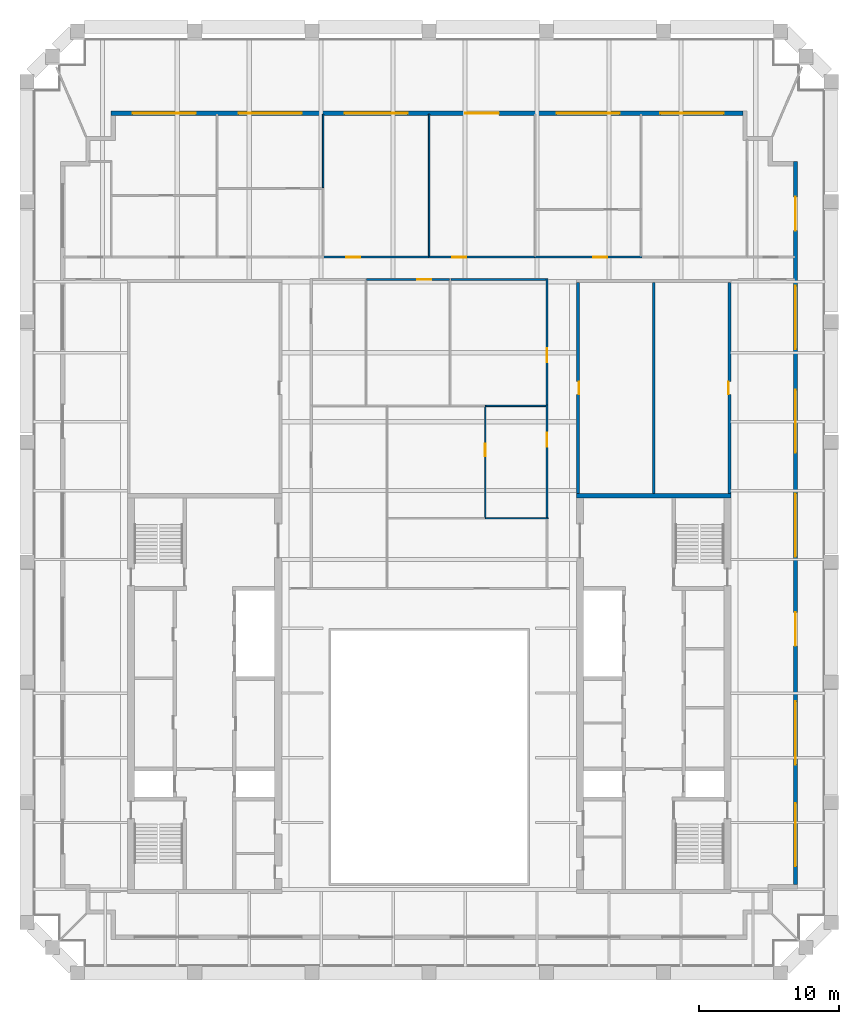
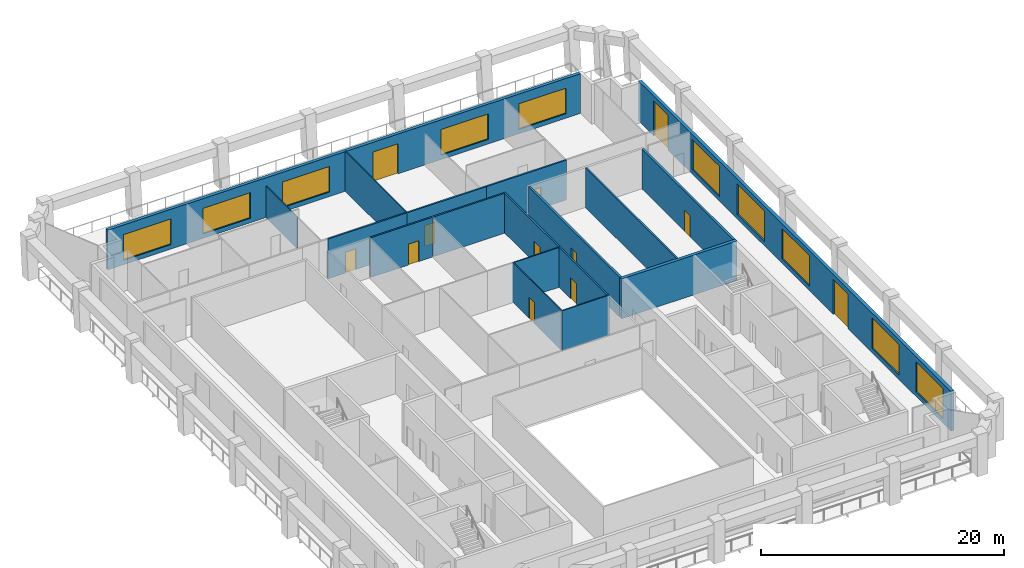
# One storey, part 6 of 8: 18 walls, 12 doors, 10 windows, 22 openings.
"""IFC4 building model written with IfcOpenShell, lengths in metres."""

from ifc_helpers import new_model, si_unit, direction, frame, frame_2d, origin, place, context, subcontext, project, spatial, rectangle, extrude, material, layer, layer_set, type_object, element, fill, save


model = new_model("IFC4")

# Units and contexts
model_context = context("Model", 3, precision=1e-05, world=origin(), true_north=direction((0.0, 1.0)))
body_context = subcontext(model_context, "Body", "Model", "MODEL_VIEW")
ifc_project = project(units=[si_unit("LENGTHUNIT", "METRE"), si_unit("AREAUNIT", "SQUARE_METRE"), si_unit("VOLUMEUNIT", "CUBIC_METRE"), si_unit("PLANEANGLEUNIT", "RADIAN"), si_unit("MASSUNIT", "GRAM", prefix="KILO")], contexts=[model_context])

# Site, building, storey
site_placement = place(None, origin())
site = spatial("IfcSite", under=ifc_project, at=site_placement, CompositionType="ELEMENT")
building_placement = place(site_placement, origin())
building = spatial("IfcBuilding", under=site, at=building_placement, Name="Ogive Exchange Tower", CompositionType="ELEMENT")
storey_placement = place(building_placement, frame((0.0, 0.0, 338.39990234375)))
storey = spatial("IfcBuildingStorey", under=building, at=storey_placement, Name="L74", CompositionType="ELEMENT", Elevation=338.39990234375)

# Wall
ifc_material_1 = material(Name="Gypsum board partition")
ifc_layer_1 = layer(ifc_material_1, 0.14990234375)
ifc_layer_set_1 = layer_set([ifc_layer_1], Name="Core room partition 150 gypsum")
wall_type_1 = type_object("IfcWallType", Name="Core room partition 150 gypsum", PredefinedType="PARTITIONING", material=ifc_layer_set_1)
wall_1_placement = place(storey_placement, frame((16.0, 25.75, 0.0), z_axis=(0.0, 0.0, 1.0), x_axis=(0.0, 1.0, 0.0)))
element("IfcWall", 1, at=wall_1_placement, inside=storey, type_object=wall_type_1, Name="E annex N column wall", PredefinedType="PARTITIONING", context=body_context, shape_type="SweptSolid", body=[
    extrude(rectangle(XDim=15.050048828125, YDim=0.14990234375, at=frame_2d((7.52490234375, 0.0))), origin(), (0.0, 0.0, 1.0), 4.0),
])

# Wall, opening, door
ifc_material_2 = material(Name="Fire partition EI 60 150")
ifc_layer_2 = layer(ifc_material_2, 0.14990234375)
ifc_layer_set_2 = layer_set([ifc_layer_2], Name="Fire partition EI 60 150")
wall_type_2 = type_object("IfcWallType", Name="Fire partition EI 60 150", PredefinedType="PARTITIONING", material=ifc_layer_set_2)
wall_2_placement = place(storey_placement, frame((-7.550048828125, 42.60009765625, 0.0), z_axis=(0.0, 0.0, 1.0), x_axis=(1.0, 0.0, 0.0)))
wall_2 = element("IfcWall", 2, at=wall_2_placement, inside=storey, type_object=wall_type_2, Name="L74-PWL-020", PredefinedType="PARTITIONING", context=body_context, shape_type="SweptSolid", body=[
    extrude(rectangle(XDim=7.5, YDim=0.14990234375, at=frame_2d((3.75, 0.0))), origin(), (0.0, 0.0, 1.0), 4.0),
])
opening_1_placement = place(wall_2_placement, frame((1.64990234375, 0.0, 0.0)))
opening_1 = element("IfcOpeningElement", 3, at=opening_1_placement, cuts=wall_2, Name="Opening L74-I01", PredefinedType="OPENING", context=body_context, shape_type="SweptSolid", body=[
    extrude(rectangle(XDim=1.0, YDim=2.10009765625, at=frame_2d((0.5, 1.050048828125))), frame((0.0, 0.0849609375, 0.0), z_axis=(0.0, -1.0, 0.0), x_axis=(1.0, 0.0, 0.0)), (0.0, 0.0, 1.0), 0.169921875),
])
ifc_material_3 = material(Name="Fire door FD 30S 1000 x 2100")
door_type_1 = type_object("IfcDoorType", Name="Fire door FD 30S 1000 x 2100", OperationType="NOTDEFINED", PredefinedType="DOOR", material=ifc_material_3)
door_1_placement = place(opening_1_placement, origin())
door_1 = element("IfcDoor", 4, at=door_1_placement, inside=storey, type_object=door_type_1, Name="L74-IDR-001", ObjectType="DT3", OperationType="SINGLE_SWING_RIGHT", OverallHeight=2.10009765625, OverallWidth=1.0, PredefinedType="DOOR", context=body_context, shape_type="SweptSolid", body=[
    extrude(rectangle(XDim=1.0, YDim=2.10009765625, at=frame_2d((0.5, 1.050048828125))), frame((0.0, 0.02490234375, 0.0), z_axis=(0.0, -1.0, 0.0), x_axis=(1.0, 0.0, 0.0)), (0.0, 0.0, 1.0), 0.050048828125),
])
fill(opening_1, door_1)

wall_3_placement = place(storey_placement, frame((-0.050048828125, 42.60009765625, 0.0), z_axis=(0.0, 0.0, 1.0), x_axis=(1.0, 0.0, 0.0)))
wall_3 = element("IfcWall", 5, at=wall_3_placement, inside=storey, type_object=wall_type_2, Name="L74-PWL-030", PredefinedType="PARTITIONING", context=body_context, shape_type="SweptSolid", body=[
    extrude(rectangle(XDim=7.550048828125, YDim=0.14990234375, at=frame_2d((3.77490234375, 0.0))), origin(), (0.0, 0.0, 1.0), 4.0),
])
opening_2_placement = place(wall_3_placement, frame((1.699951171875, 0.0, 0.0)))
opening_2 = element("IfcOpeningElement", 6, at=opening_2_placement, cuts=wall_3, Name="Opening L74-I02", PredefinedType="OPENING", context=body_context, shape_type="SweptSolid", body=[
    extrude(rectangle(XDim=1.0, YDim=2.10009765625, at=frame_2d((0.5, 1.050048828125))), frame((0.0, 0.0849609375, 0.0), z_axis=(0.0, -1.0, 0.0), x_axis=(1.0, 0.0, 0.0)), (0.0, 0.0, 1.0), 0.169921875),
])
door_2_placement = place(opening_2_placement, origin())
door_2 = element("IfcDoor", 7, at=door_2_placement, inside=storey, type_object=door_type_1, Name="L74-IDR-002", ObjectType="DT3", OperationType="SINGLE_SWING_RIGHT", OverallHeight=2.10009765625, OverallWidth=1.0, PredefinedType="DOOR", context=body_context, shape_type="SweptSolid", body=[
    extrude(rectangle(XDim=1.0, YDim=2.10009765625, at=frame_2d((0.5, 1.050048828125))), frame((0.0, 0.02490234375, 0.0), z_axis=(0.0, -1.0, 0.0), x_axis=(1.0, 0.0, 0.0)), (0.0, 0.0, 1.0), 0.050048828125),
])
fill(opening_2, door_2)

wall_4_placement = place(storey_placement, frame((1.449951171875, 41.0, 0.0), z_axis=(0.0, 0.0, 1.0), x_axis=(-1.0, 0.0, 0.0)))
wall_4 = element("IfcWall", 8, at=wall_4_placement, inside=storey, type_object=wall_type_2, Name="L74-PWL-034", PredefinedType="PARTITIONING", context=body_context, shape_type="SweptSolid", body=[
    extrude(rectangle(XDim=5.89990234375, YDim=0.14990234375, at=frame_2d((2.949951171875, 0.0))), origin(), (0.0, 0.0, 1.0), 4.0),
])
opening_3_placement = place(wall_4_placement, frame((1.300048828125, 0.0, 0.0)))
opening_3 = element("IfcOpeningElement", 9, at=opening_3_placement, cuts=wall_4, Name="Opening L74-I13", PredefinedType="OPENING", context=body_context, shape_type="SweptSolid", body=[
    extrude(rectangle(XDim=1.0, YDim=2.10009765625, at=frame_2d((0.5, 1.050048828125))), frame((0.0, 0.0849609375, 0.0), z_axis=(0.0, -1.0, 0.0), x_axis=(1.0, 0.0, 0.0)), (0.0, 0.0, 1.0), 0.169921875),
])
door_3_placement = place(opening_3_placement, origin())
door_3 = element("IfcDoor", 10, at=door_3_placement, inside=storey, type_object=door_type_1, Name="L74-IDR-013", ObjectType="DT3", OperationType="SINGLE_SWING_RIGHT", OverallHeight=2.10009765625, OverallWidth=1.0, PredefinedType="DOOR", context=body_context, shape_type="SweptSolid", body=[
    extrude(rectangle(XDim=1.0, YDim=2.10009765625, at=frame_2d((0.5, 1.050048828125))), frame((0.0, 0.02490234375, 0.0), z_axis=(0.0, -1.0, 0.0), x_axis=(1.0, 0.0, 0.0)), (0.0, 0.0, 1.0), 0.050048828125),
])
fill(opening_3, door_3)

wall_5_placement = place(storey_placement, frame((7.5, 42.60009765625, 0.0), z_axis=(0.0, 0.0, 1.0), x_axis=(1.0, 0.0, 0.0)))
wall_5 = element("IfcWall", 11, at=wall_5_placement, inside=storey, type_object=wall_type_2, Name="L74-PWL-038", PredefinedType="PARTITIONING", context=body_context, shape_type="SweptSolid", body=[
    extrude(rectangle(XDim=7.64990234375, YDim=0.14990234375, at=frame_2d((3.824951171875, 0.0))), origin(), (0.0, 0.0, 1.0), 4.0),
])
opening_4_placement = place(wall_5_placement, frame((4.199951171875, 0.0, 0.0)))
opening_4 = element("IfcOpeningElement", 12, at=opening_4_placement, cuts=wall_5, Name="Opening L74-I04", PredefinedType="OPENING", context=body_context, shape_type="SweptSolid", body=[
    extrude(rectangle(XDim=1.0, YDim=2.10009765625, at=frame_2d((0.5, 1.050048828125))), frame((0.0, 0.0849609375, 0.0), z_axis=(0.0, -1.0, 0.0), x_axis=(1.0, 0.0, 0.0)), (0.0, 0.0, 1.0), 0.169921875),
])
door_4_placement = place(opening_4_placement, origin())
door_4 = element("IfcDoor", 13, at=door_4_placement, inside=storey, type_object=door_type_1, Name="L74-IDR-004", ObjectType="DT3", OperationType="SINGLE_SWING_LEFT", OverallHeight=2.10009765625, OverallWidth=1.0, PredefinedType="DOOR", context=body_context, shape_type="SweptSolid", body=[
    extrude(rectangle(XDim=1.0, YDim=2.10009765625, at=frame_2d((0.5, 1.050048828125))), frame((0.0, 0.02490234375, 0.0), z_axis=(0.0, -1.0, 0.0), x_axis=(1.0, 0.0, 0.0)), (0.0, 0.0, 1.0), 0.050048828125),
])
fill(opening_4, door_4)

wall_6_placement = place(storey_placement, frame((8.39990234375, 24.050048828125, 0.0), z_axis=(0.0, 0.0, 1.0), x_axis=(0.0, 1.0, 0.0)))
wall_6 = element("IfcWall", 14, at=wall_6_placement, inside=storey, type_object=wall_type_2, Name="L74-PWL-042", PredefinedType="PARTITIONING", context=body_context, shape_type="SweptSolid", body=[
    extrude(rectangle(XDim=8.0, YDim=0.14990234375, at=frame_2d((4.0, 0.0))), origin(), (0.0, 0.0, 1.0), 4.0),
])
opening_5_placement = place(wall_6_placement, frame((5.050048828125, 0.0, 0.0)))
opening_5 = element("IfcOpeningElement", 15, at=opening_5_placement, cuts=wall_6, Name="Opening L74-I16", PredefinedType="OPENING", context=body_context, shape_type="SweptSolid", body=[
    extrude(rectangle(XDim=1.0, YDim=2.10009765625, at=frame_2d((0.5, 1.050048828125))), frame((0.0, 0.0849609375, 0.0), z_axis=(0.0, -1.0, 0.0), x_axis=(1.0, 0.0, 0.0)), (0.0, 0.0, 1.0), 0.169921875),
])
door_5_placement = place(opening_5_placement, origin())
door_5 = element("IfcDoor", 16, at=door_5_placement, inside=storey, type_object=door_type_1, Name="L74-IDR-016", ObjectType="DT3", OperationType="SINGLE_SWING_LEFT", OverallHeight=2.10009765625, OverallWidth=1.0, PredefinedType="DOOR", context=body_context, shape_type="SweptSolid", body=[
    extrude(rectangle(XDim=1.0, YDim=2.10009765625, at=frame_2d((0.5, 1.050048828125))), frame((0.0, 0.02490234375, 0.0), z_axis=(0.0, -1.0, 0.0), x_axis=(1.0, 0.0, 0.0)), (0.0, 0.0, 1.0), 0.050048828125),
])
fill(opening_5, door_5)

wall_7_placement = place(storey_placement, frame((8.39990234375, 32.0, 0.0), z_axis=(0.0, 0.0, 1.0), x_axis=(0.0, 1.0, 0.0)))
wall_7 = element("IfcWall", 17, at=wall_7_placement, inside=storey, type_object=wall_type_2, Name="L74-PWL-044", PredefinedType="PARTITIONING", context=body_context, shape_type="SweptSolid", body=[
    extrude(rectangle(XDim=9.074951171875, YDim=0.14990234375, at=frame_2d((4.53759765625, 0.0))), origin(), (0.0, 0.0, 1.0), 4.0),
])
opening_6_placement = place(wall_7_placement, frame((3.10009765625, 0.0, 0.0)))
opening_6 = element("IfcOpeningElement", 18, at=opening_6_placement, cuts=wall_7, Name="Opening L74-I12", PredefinedType="OPENING", context=body_context, shape_type="SweptSolid", body=[
    extrude(rectangle(XDim=1.0, YDim=2.10009765625, at=frame_2d((0.5, 1.050048828125))), frame((0.0, 0.0849609375, 0.0), z_axis=(0.0, -1.0, 0.0), x_axis=(1.0, 0.0, 0.0)), (0.0, 0.0, 1.0), 0.169921875),
])
door_6_placement = place(opening_6_placement, origin())
door_6 = element("IfcDoor", 19, at=door_6_placement, inside=storey, type_object=door_type_1, Name="L74-IDR-012", ObjectType="DT3", OperationType="SINGLE_SWING_RIGHT", OverallHeight=2.10009765625, OverallWidth=1.0, PredefinedType="DOOR", context=body_context, shape_type="SweptSolid", body=[
    extrude(rectangle(XDim=1.0, YDim=2.10009765625, at=frame_2d((0.5, 1.050048828125))), frame((0.0, 0.02490234375, 0.0), z_axis=(0.0, -1.0, 0.0), x_axis=(1.0, 0.0, 0.0)), (0.0, 0.0, 1.0), 0.050048828125),
])
fill(opening_6, door_6)

# Wall
wall_8_placement = place(storey_placement, frame((8.324951171875, 41.0, 0.0), z_axis=(0.0, 0.0, 1.0), x_axis=(-1.0, 0.0, 0.0)))
element("IfcWall", 20, at=wall_8_placement, inside=storey, type_object=wall_type_2, Name="L74-PWL-045", PredefinedType="PARTITIONING", context=body_context, shape_type="SweptSolid", body=[
    extrude(rectangle(XDim=6.77490234375, YDim=0.14990234375, at=frame_2d((3.387451171875, 0.0))), origin(), (0.0, 0.0, 1.0), 4.0),
])

# Wall, openings, doors, windows
ifc_material_4 = material(Name="Precast concrete C40/50", Category="concrete")
ifc_layer_3 = layer(ifc_material_4, 0.300048828125)
ifc_layer_set_3 = layer_set([ifc_layer_3], Name="Limestone-faced wall 300")
wall_type_3 = type_object("IfcWallType", Name="Limestone-faced wall 300", PredefinedType="STANDARD", material=ifc_layer_set_3)
wall_9_placement = place(storey_placement, frame((26.10009765625, -2.10009765625, 0.0), z_axis=(0.0, 0.0, 1.0), x_axis=(0.0, 1.0, 0.0)))
wall_9 = element("IfcWall", 21, at=wall_9_placement, inside=storey, type_object=wall_type_3, Name="External wall E2", PredefinedType="STANDARD", context=body_context, shape_type="SweptSolid", body=[
    extrude(rectangle(XDim=51.5, YDim=0.300048828125, at=frame_2d((25.75, 0.0))), origin(), (0.0, 0.0, 1.0), 4.0),
])
opening_7_placement = place(wall_9_placement, frame((1.300048828125, 0.0, 0.449951171875)))
opening_7 = element("IfcOpeningElement", 22, at=opening_7_placement, cuts=wall_9, Name="Opening W1", PredefinedType="OPENING", context=body_context, shape_type="SweptSolid", body=[
    extrude(rectangle(XDim=4.5, YDim=3.050048828125, at=frame_2d((2.25, 1.52490234375))), frame((0.0, 0.159912109375, 0.0), z_axis=(0.0, -1.0, 0.0), x_axis=(1.0, 0.0, 0.0)), (0.0, 0.0, 1.0), 0.320068359375),
])
opening_8_placement = place(wall_9_placement, frame((8.550048828125, 0.0, 0.449951171875)))
opening_8 = element("IfcOpeningElement", 23, at=opening_8_placement, cuts=wall_9, Name="Opening W1", PredefinedType="OPENING", context=body_context, shape_type="SweptSolid", body=[
    extrude(rectangle(XDim=4.5, YDim=3.050048828125, at=frame_2d((2.25, 1.52490234375))), frame((0.0, 0.159912109375, 0.0), z_axis=(0.0, -1.0, 0.0), x_axis=(1.0, 0.0, 0.0)), (0.0, 0.0, 1.0), 0.320068359375),
])
opening_9_placement = place(wall_9_placement, frame((17.0, 0.0, 0.0)))
opening_9 = element("IfcOpeningElement", 24, at=opening_9_placement, cuts=wall_9, Name="Opening D1", PredefinedType="OPENING", context=body_context, shape_type="SweptSolid", body=[
    extrude(rectangle(XDim=2.39990234375, YDim=3.5, at=frame_2d((1.199951171875, 1.75))), frame((0.0, 0.159912109375, 0.0), z_axis=(0.0, -1.0, 0.0), x_axis=(1.0, 0.0, 0.0)), (0.0, 0.0, 1.0), 0.320068359375),
])
opening_10_placement = place(wall_9_placement, frame((23.35009765625, 0.0, 0.449951171875)))
opening_10 = element("IfcOpeningElement", 25, at=opening_10_placement, cuts=wall_9, Name="Opening W1", PredefinedType="OPENING", context=body_context, shape_type="SweptSolid", body=[
    extrude(rectangle(XDim=4.5, YDim=3.050048828125, at=frame_2d((2.25, 1.52490234375))), frame((0.0, 0.159912109375, 0.0), z_axis=(0.0, -1.0, 0.0), x_axis=(1.0, 0.0, 0.0)), (0.0, 0.0, 1.0), 0.320068359375),
])
opening_11_placement = place(wall_9_placement, frame((30.75, 0.0, 0.449951171875)))
opening_11 = element("IfcOpeningElement", 26, at=opening_11_placement, cuts=wall_9, Name="Opening W1", PredefinedType="OPENING", context=body_context, shape_type="SweptSolid", body=[
    extrude(rectangle(XDim=4.5, YDim=3.050048828125, at=frame_2d((2.25, 1.52490234375))), frame((0.0, 0.159912109375, 0.0), z_axis=(0.0, -1.0, 0.0), x_axis=(1.0, 0.0, 0.0)), (0.0, 0.0, 1.0), 0.320068359375),
])
opening_12_placement = place(wall_9_placement, frame((38.14990234375, 0.0, 0.449951171875)))
opening_12 = element("IfcOpeningElement", 27, at=opening_12_placement, cuts=wall_9, Name="Opening W1", PredefinedType="OPENING", context=body_context, shape_type="SweptSolid", body=[
    extrude(rectangle(XDim=4.5, YDim=3.050048828125, at=frame_2d((2.25, 1.52490234375))), frame((0.0, 0.159912109375, 0.0), z_axis=(0.0, -1.0, 0.0), x_axis=(1.0, 0.0, 0.0)), (0.0, 0.0, 1.0), 0.320068359375),
])
opening_13_placement = place(wall_9_placement, frame((46.60009765625, 0.0, 0.0)))
opening_13 = element("IfcOpeningElement", 28, at=opening_13_placement, cuts=wall_9, Name="Opening D1", PredefinedType="OPENING", context=body_context, shape_type="SweptSolid", body=[
    extrude(rectangle(XDim=2.39990234375, YDim=3.5, at=frame_2d((1.199951171875, 1.75))), frame((0.0, 0.159912109375, 0.0), z_axis=(0.0, -1.0, 0.0), x_axis=(1.0, 0.0, 0.0)), (0.0, 0.0, 1.0), 0.320068359375),
])
ifc_material_5 = material(Name="Clear glass in bronze frame", Category="glass")
door_type_2 = type_object("IfcDoorType", Name="Sliding loggia door 2400 x 3500", OperationType="DOUBLE_DOOR_SLIDING", PredefinedType="DOOR", material=ifc_material_5)
door_7_placement = place(opening_9_placement, origin())
door_7 = element("IfcDoor", 29, at=door_7_placement, inside=storey, type_object=door_type_2, Name="Loggia door E02", OperationType="DOUBLE_DOOR_SLIDING", OverallHeight=3.5, OverallWidth=2.39990234375, PredefinedType="DOOR", context=body_context, shape_type="SweptSolid", body=[
    extrude(rectangle(XDim=2.39990234375, YDim=3.5, at=frame_2d((1.199951171875, 1.75))), frame((0.0, 0.02490234375, 0.0), z_axis=(0.0, -1.0, 0.0), x_axis=(1.0, 0.0, 0.0)), (0.0, 0.0, 1.0), 0.050048828125),
])
fill(opening_9, door_7)
door_8_placement = place(opening_13_placement, origin())
door_8 = element("IfcDoor", 30, at=door_8_placement, inside=storey, type_object=door_type_2, Name="Loggia door E06", OperationType="DOUBLE_DOOR_SLIDING", OverallHeight=3.5, OverallWidth=2.39990234375, PredefinedType="DOOR", context=body_context, shape_type="SweptSolid", body=[
    extrude(rectangle(XDim=2.39990234375, YDim=3.5, at=frame_2d((1.199951171875, 1.75))), frame((0.0, 0.02490234375, 0.0), z_axis=(0.0, -1.0, 0.0), x_axis=(1.0, 0.0, 0.0)), (0.0, 0.0, 1.0), 0.050048828125),
])
fill(opening_13, door_8)
window_type_1 = type_object("IfcWindowType", Name="Twin lancet window 4500 x 3050", PartitioningType="DOUBLE_PANEL_VERTICAL", PredefinedType="WINDOW", material=ifc_material_5)
window_1_placement = place(opening_7_placement, origin())
window_1 = element("IfcWindow", 31, at=window_1_placement, inside=storey, type_object=window_type_1, Name="Window E00", OverallHeight=3.050048828125, OverallWidth=4.5, PartitioningType="DOUBLE_PANEL_VERTICAL", PredefinedType="WINDOW", context=body_context, shape_type="SweptSolid", body=[
    extrude(rectangle(XDim=4.5, YDim=3.050048828125, at=frame_2d((2.25, 1.52490234375))), frame((0.0, 0.030029296875, 0.0), z_axis=(0.0, -1.0, 0.0), x_axis=(1.0, 0.0, 0.0)), (0.0, 0.0, 1.0), 0.06005859375),
])
fill(opening_7, window_1)
window_2_placement = place(opening_8_placement, origin())
window_2 = element("IfcWindow", 32, at=window_2_placement, inside=storey, type_object=window_type_1, Name="Window E01", OverallHeight=3.050048828125, OverallWidth=4.5, PartitioningType="DOUBLE_PANEL_VERTICAL", PredefinedType="WINDOW", context=body_context, shape_type="SweptSolid", body=[
    extrude(rectangle(XDim=4.5, YDim=3.050048828125, at=frame_2d((2.25, 1.52490234375))), frame((0.0, 0.030029296875, 0.0), z_axis=(0.0, -1.0, 0.0), x_axis=(1.0, 0.0, 0.0)), (0.0, 0.0, 1.0), 0.06005859375),
])
fill(opening_8, window_2)
window_3_placement = place(opening_10_placement, origin())
window_3 = element("IfcWindow", 33, at=window_3_placement, inside=storey, type_object=window_type_1, Name="Window E03", OverallHeight=3.050048828125, OverallWidth=4.5, PartitioningType="DOUBLE_PANEL_VERTICAL", PredefinedType="WINDOW", context=body_context, shape_type="SweptSolid", body=[
    extrude(rectangle(XDim=4.5, YDim=3.050048828125, at=frame_2d((2.25, 1.52490234375))), frame((0.0, 0.030029296875, 0.0), z_axis=(0.0, -1.0, 0.0), x_axis=(1.0, 0.0, 0.0)), (0.0, 0.0, 1.0), 0.06005859375),
])
fill(opening_10, window_3)
window_4_placement = place(opening_11_placement, origin())
window_4 = element("IfcWindow", 34, at=window_4_placement, inside=storey, type_object=window_type_1, Name="Window E04", OverallHeight=3.050048828125, OverallWidth=4.5, PartitioningType="DOUBLE_PANEL_VERTICAL", PredefinedType="WINDOW", context=body_context, shape_type="SweptSolid", body=[
    extrude(rectangle(XDim=4.5, YDim=3.050048828125, at=frame_2d((2.25, 1.52490234375))), frame((0.0, 0.030029296875, 0.0), z_axis=(0.0, -1.0, 0.0), x_axis=(1.0, 0.0, 0.0)), (0.0, 0.0, 1.0), 0.06005859375),
])
fill(opening_11, window_4)
window_5_placement = place(opening_12_placement, origin())
window_5 = element("IfcWindow", 35, at=window_5_placement, inside=storey, type_object=window_type_1, Name="Window E05", OverallHeight=3.050048828125, OverallWidth=4.5, PartitioningType="DOUBLE_PANEL_VERTICAL", PredefinedType="WINDOW", context=body_context, shape_type="SweptSolid", body=[
    extrude(rectangle(XDim=4.5, YDim=3.050048828125, at=frame_2d((2.25, 1.52490234375))), frame((0.0, 0.030029296875, 0.0), z_axis=(0.0, -1.0, 0.0), x_axis=(1.0, 0.0, 0.0)), (0.0, 0.0, 1.0), 0.06005859375),
])
fill(opening_12, window_5)

# Wall, openings, door, windows
wall_10_placement = place(storey_placement, frame((22.35009765625, 52.85009765625, 0.0), z_axis=(0.0, 0.0, 1.0), x_axis=(-1.0, 0.0, 0.0)))
wall_10 = element("IfcWall", 36, at=wall_10_placement, inside=storey, type_object=wall_type_3, Name="External wall N3", PredefinedType="STANDARD", context=body_context, shape_type="SweptSolid", body=[
    extrude(rectangle(XDim=45.0, YDim=0.300048828125, at=frame_2d((22.5, 0.0))), origin(), (0.0, 0.0, 1.0), 4.0),
])
opening_14_placement = place(wall_10_placement, frame((1.375, 0.0, 0.449951171875)))
opening_14 = element("IfcOpeningElement", 37, at=opening_14_placement, cuts=wall_10, Name="Opening W1M", PredefinedType="OPENING", context=body_context, shape_type="SweptSolid", body=[
    extrude(rectangle(XDim=4.5, YDim=2.574951171875, at=frame_2d((2.25, 1.28759765625))), frame((0.0, 0.159912109375, 0.0), z_axis=(0.0, -1.0, 0.0), x_axis=(1.0, 0.0, 0.0)), (0.0, 0.0, 1.0), 0.320068359375),
])
opening_15_placement = place(wall_10_placement, frame((8.77490234375, 0.0, 0.449951171875)))
opening_15 = element("IfcOpeningElement", 38, at=opening_15_placement, cuts=wall_10, Name="Opening W1M", PredefinedType="OPENING", context=body_context, shape_type="SweptSolid", body=[
    extrude(rectangle(XDim=4.5, YDim=2.574951171875, at=frame_2d((2.25, 1.28759765625))), frame((0.0, 0.159912109375, 0.0), z_axis=(0.0, -1.0, 0.0), x_axis=(1.0, 0.0, 0.0)), (0.0, 0.0, 1.0), 0.320068359375),
])
opening_16_placement = place(wall_10_placement, frame((17.375, 0.0, 0.0)))
opening_16 = element("IfcOpeningElement", 39, at=opening_16_placement, cuts=wall_10, Name="Opening D1M", PredefinedType="OPENING", context=body_context, shape_type="SweptSolid", body=[
    extrude(rectangle(XDim=2.39990234375, YDim=3.02490234375, at=frame_2d((1.199951171875, 1.512451171875))), frame((0.0, 0.159912109375, 0.0), z_axis=(0.0, -1.0, 0.0), x_axis=(1.0, 0.0, 0.0)), (0.0, 0.0, 1.0), 0.320068359375),
])
opening_17_placement = place(wall_10_placement, frame((23.875, 0.0, 0.449951171875)))
opening_17 = element("IfcOpeningElement", 40, at=opening_17_placement, cuts=wall_10, Name="Opening W1M", PredefinedType="OPENING", context=body_context, shape_type="SweptSolid", body=[
    extrude(rectangle(XDim=4.5, YDim=2.574951171875, at=frame_2d((2.25, 1.28759765625))), frame((0.0, 0.159912109375, 0.0), z_axis=(0.0, -1.0, 0.0), x_axis=(1.0, 0.0, 0.0)), (0.0, 0.0, 1.0), 0.320068359375),
])
opening_18_placement = place(wall_10_placement, frame((31.425048828125, 0.0, 0.449951171875)))
opening_18 = element("IfcOpeningElement", 41, at=opening_18_placement, cuts=wall_10, Name="Opening W1M", PredefinedType="OPENING", context=body_context, shape_type="SweptSolid", body=[
    extrude(rectangle(XDim=4.5, YDim=2.574951171875, at=frame_2d((2.25, 1.28759765625))), frame((0.0, 0.159912109375, 0.0), z_axis=(0.0, -1.0, 0.0), x_axis=(1.0, 0.0, 0.0)), (0.0, 0.0, 1.0), 0.320068359375),
])
opening_19_placement = place(wall_10_placement, frame((38.97509765625, 0.0, 0.449951171875)))
opening_19 = element("IfcOpeningElement", 42, at=opening_19_placement, cuts=wall_10, Name="Opening W1M", PredefinedType="OPENING", context=body_context, shape_type="SweptSolid", body=[
    extrude(rectangle(XDim=4.5, YDim=2.574951171875, at=frame_2d((2.25, 1.28759765625))), frame((0.0, 0.159912109375, 0.0), z_axis=(0.0, -1.0, 0.0), x_axis=(1.0, 0.0, 0.0)), (0.0, 0.0, 1.0), 0.320068359375),
])
door_type_3 = type_object("IfcDoorType", Name="Sliding loggia door 2400 x 3025", OperationType="DOUBLE_DOOR_SLIDING", PredefinedType="DOOR", material=ifc_material_5)
door_9_placement = place(opening_16_placement, origin())
door_9 = element("IfcDoor", 43, at=door_9_placement, inside=storey, type_object=door_type_3, Name="Loggia door N02", OperationType="DOUBLE_DOOR_SLIDING", OverallHeight=3.02490234375, OverallWidth=2.39990234375, PredefinedType="DOOR", context=body_context, shape_type="SweptSolid", body=[
    extrude(rectangle(XDim=2.39990234375, YDim=3.02490234375, at=frame_2d((1.199951171875, 1.512451171875))), frame((0.0, 0.02490234375, 0.0), z_axis=(0.0, -1.0, 0.0), x_axis=(1.0, 0.0, 0.0)), (0.0, 0.0, 1.0), 0.050048828125),
])
fill(opening_16, door_9)
window_type_2 = type_object("IfcWindowType", Name="Twin lancet window 4500 x 2575", PartitioningType="DOUBLE_PANEL_VERTICAL", PredefinedType="WINDOW", material=ifc_material_5)
window_6_placement = place(opening_14_placement, origin())
window_6 = element("IfcWindow", 44, at=window_6_placement, inside=storey, type_object=window_type_2, Name="Window N00", OverallHeight=2.574951171875, OverallWidth=4.5, PartitioningType="DOUBLE_PANEL_VERTICAL", PredefinedType="WINDOW", context=body_context, shape_type="SweptSolid", body=[
    extrude(rectangle(XDim=4.5, YDim=2.574951171875, at=frame_2d((2.25, 1.28759765625))), frame((0.0, 0.030029296875, 0.0), z_axis=(0.0, -1.0, 0.0), x_axis=(1.0, 0.0, 0.0)), (0.0, 0.0, 1.0), 0.06005859375),
])
fill(opening_14, window_6)
window_7_placement = place(opening_15_placement, origin())
window_7 = element("IfcWindow", 45, at=window_7_placement, inside=storey, type_object=window_type_2, Name="Window N01", OverallHeight=2.574951171875, OverallWidth=4.5, PartitioningType="DOUBLE_PANEL_VERTICAL", PredefinedType="WINDOW", context=body_context, shape_type="SweptSolid", body=[
    extrude(rectangle(XDim=4.5, YDim=2.574951171875, at=frame_2d((2.25, 1.28759765625))), frame((0.0, 0.030029296875, 0.0), z_axis=(0.0, -1.0, 0.0), x_axis=(1.0, 0.0, 0.0)), (0.0, 0.0, 1.0), 0.06005859375),
])
fill(opening_15, window_7)
window_8_placement = place(opening_17_placement, origin())
window_8 = element("IfcWindow", 46, at=window_8_placement, inside=storey, type_object=window_type_2, Name="Window N03", OverallHeight=2.574951171875, OverallWidth=4.5, PartitioningType="DOUBLE_PANEL_VERTICAL", PredefinedType="WINDOW", context=body_context, shape_type="SweptSolid", body=[
    extrude(rectangle(XDim=4.5, YDim=2.574951171875, at=frame_2d((2.25, 1.28759765625))), frame((0.0, 0.030029296875, 0.0), z_axis=(0.0, -1.0, 0.0), x_axis=(1.0, 0.0, 0.0)), (0.0, 0.0, 1.0), 0.06005859375),
])
fill(opening_17, window_8)
window_9_placement = place(opening_18_placement, origin())
window_9 = element("IfcWindow", 47, at=window_9_placement, inside=storey, type_object=window_type_2, Name="Window N04", OverallHeight=2.574951171875, OverallWidth=4.5, PartitioningType="DOUBLE_PANEL_VERTICAL", PredefinedType="WINDOW", context=body_context, shape_type="SweptSolid", body=[
    extrude(rectangle(XDim=4.5, YDim=2.574951171875, at=frame_2d((2.25, 1.28759765625))), frame((0.0, 0.030029296875, 0.0), z_axis=(0.0, -1.0, 0.0), x_axis=(1.0, 0.0, 0.0)), (0.0, 0.0, 1.0), 0.06005859375),
])
fill(opening_18, window_9)
window_10_placement = place(opening_19_placement, origin())
window_10 = element("IfcWindow", 48, at=window_10_placement, inside=storey, type_object=window_type_2, Name="Window N05", OverallHeight=2.574951171875, OverallWidth=4.5, PartitioningType="DOUBLE_PANEL_VERTICAL", PredefinedType="WINDOW", context=body_context, shape_type="SweptSolid", body=[
    extrude(rectangle(XDim=4.5, YDim=2.574951171875, at=frame_2d((2.25, 1.28759765625))), frame((0.0, 0.030029296875, 0.0), z_axis=(0.0, -1.0, 0.0), x_axis=(1.0, 0.0, 0.0)), (0.0, 0.0, 1.0), 0.06005859375),
])
fill(opening_19, window_10)

# Walls
ifc_material_6 = material(Name="Partition 100 gypsum")
ifc_layer_4 = layer(ifc_material_6, 0.10009765625)
ifc_layer_set_4 = layer_set([ifc_layer_4], Name="Partition 100 gypsum")
wall_type_4 = type_object("IfcWallType", Name="Partition 100 gypsum", PredefinedType="PARTITIONING", material=ifc_layer_set_4)
wall_11_placement = place(storey_placement, frame((-7.550048828125, 47.550048828125, 0.0), z_axis=(0.0, 0.0, 1.0), x_axis=(0.0, 1.0, 0.0)))
element("IfcWall", 49, at=wall_11_placement, inside=storey, type_object=wall_type_4, Name="L74-PWL-021", PredefinedType="PARTITIONING", context=body_context, shape_type="SweptSolid", body=[
    extrude(rectangle(XDim=5.25, YDim=0.10009765625, at=frame_2d((2.625, 0.0))), origin(), (0.0, 0.0, 1.0), 3.1640625),
])
wall_12_placement = place(storey_placement, frame((0.0, 52.800048828125, 0.0), z_axis=(0.0, 0.0, 1.0), x_axis=(0.0, -1.0, 0.0)))
element("IfcWall", 50, at=wall_12_placement, inside=storey, type_object=wall_type_4, Name="L74-PWL-031", PredefinedType="PARTITIONING", context=body_context, shape_type="SweptSolid", body=[
    extrude(rectangle(XDim=10.125, YDim=0.10009765625, at=frame_2d((5.0625, 0.0))), origin(), (0.0, 0.0, 1.0), 4.0),
])

# Wall, opening, door
wall_13_placement = place(storey_placement, frame((4.0, 24.050048828125, 0.0), z_axis=(0.0, 0.0, 1.0), x_axis=(0.0, 1.0, 0.0)))
wall_13 = element("IfcWall", 51, at=wall_13_placement, inside=storey, type_object=wall_type_4, Name="L74-PWL-035", PredefinedType="PARTITIONING", context=body_context, shape_type="SweptSolid", body=[
    extrude(rectangle(XDim=8.0, YDim=0.10009765625, at=frame_2d((4.0, 0.0))), origin(), (0.0, 0.0, 1.0), 4.0),
])
opening_20_placement = place(wall_13_placement, frame((4.35009765625, 0.0, 0.0)))
opening_20 = element("IfcOpeningElement", 52, at=opening_20_placement, cuts=wall_13, Name="Opening L74-I17", PredefinedType="OPENING", context=body_context, shape_type="SweptSolid", body=[
    extrude(rectangle(XDim=0.89990234375, YDim=2.10009765625, at=frame_2d((0.449951171875, 1.050048828125))), frame((0.0, 0.06005859375, 0.0), z_axis=(0.0, -1.0, 0.0), x_axis=(1.0, 0.0, 0.0)), (0.0, 0.0, 1.0), 0.1201171875),
])
ifc_material_7 = material(Name="Door 900 x 2100")
door_type_4 = type_object("IfcDoorType", Name="Door 900 x 2100", OperationType="NOTDEFINED", PredefinedType="DOOR", material=ifc_material_7)
door_10_placement = place(opening_20_placement, frame((0.89990234375, 0.0, 0.0), z_axis=(0.0, 0.0, 1.0), x_axis=(-1.0, 0.0, 0.0)))
door_10 = element("IfcDoor", 53, at=door_10_placement, inside=storey, type_object=door_type_4, Name="L74-IDR-017", ObjectType="DT1", OperationType="SINGLE_SWING_RIGHT", OverallHeight=2.10009765625, OverallWidth=0.89990234375, PredefinedType="DOOR", context=body_context, shape_type="SweptSolid", body=[
    extrude(rectangle(XDim=0.89990234375, YDim=2.10009765625, at=frame_2d((0.449951171875, 1.050048828125))), frame((0.0, 0.02490234375, 0.0), z_axis=(0.0, -1.0, 0.0), x_axis=(1.0, 0.0, 0.0)), (0.0, 0.0, 1.0), 0.050048828125),
])
fill(opening_20, door_10)

# Walls
wall_14_placement = place(storey_placement, frame((4.0, 24.0, 0.0), z_axis=(0.0, 0.0, 1.0), x_axis=(1.0, 0.0, 0.0)))
element("IfcWall", 54, at=wall_14_placement, inside=storey, type_object=wall_type_4, Name="L74-PWL-036", PredefinedType="PARTITIONING", context=body_context, shape_type="SweptSolid", body=[
    extrude(rectangle(XDim=4.47509765625, YDim=0.10009765625, at=frame_2d((2.237548828125, 0.0))), origin(), (0.0, 0.0, 1.0), 4.0),
])
wall_15_placement = place(storey_placement, frame((8.324951171875, 32.0, 0.0), z_axis=(0.0, 0.0, 1.0), x_axis=(-1.0, 0.0, 0.0)))
element("IfcWall", 55, at=wall_15_placement, inside=storey, type_object=wall_type_4, Name="L74-PWL-043", PredefinedType="PARTITIONING", context=body_context, shape_type="SweptSolid", body=[
    extrude(rectangle(XDim=4.27490234375, YDim=0.10009765625, at=frame_2d((2.137451171875, 0.0))), origin(), (0.0, 0.0, 1.0), 4.0),
])

# Wall, opening, door
ifc_material_8 = material(Name="Concrete C70/85", Category="concrete")
ifc_layer_5 = layer(ifc_material_8, 0.199951171875)
ifc_layer_set_5 = layer_set([ifc_layer_5], Name="RC core wall 200 C70/85")
wall_type_5 = type_object("IfcWallType", Name="RC core wall 200 C70/85", PredefinedType="SHEAR", material=ifc_layer_set_5)
wall_16_placement = place(storey_placement, frame((21.39990234375, 25.75, 0.0), z_axis=(0.0, 0.0, 1.0), x_axis=(0.0, 1.0, 0.0)))
wall_16 = element("IfcWall", 56, at=wall_16_placement, inside=storey, type_object=wall_type_5, Name="E annex N outer wall", PredefinedType="SHEAR", context=body_context, shape_type="SweptSolid", body=[
    extrude(rectangle(XDim=15.050048828125, YDim=0.199951171875, at=frame_2d((7.52490234375, 0.0))), origin(), (0.0, 0.0, 1.0), 4.0),
])
opening_21_placement = place(wall_16_placement, frame((7.074951171875, 0.0, 0.0)))
opening_21 = element("IfcOpeningElement", 57, at=opening_21_placement, cuts=wall_16, Name="Opening L74-C36", PredefinedType="OPENING", context=body_context, shape_type="SweptSolid", body=[
    extrude(rectangle(XDim=0.89990234375, YDim=2.10009765625, at=frame_2d((0.449951171875, 1.050048828125))), frame((0.0, 0.10986328125, 0.0), z_axis=(0.0, -1.0, 0.0), x_axis=(1.0, 0.0, 0.0)), (0.0, 0.0, 1.0), 0.219970703125),
])
ifc_material_9 = material(Name="Timber fire door", Category="wood")
door_type_5 = type_object("IfcDoorType", Name="Core room door FD30S 900 x 2100", OperationType="NOTDEFINED", PredefinedType="DOOR", material=ifc_material_9)
door_11_placement = place(opening_21_placement, frame((0.89990234375, 0.14990234375, 0.0), z_axis=(0.0, 0.0, 1.0), x_axis=(-1.0, 0.0, 0.0)))
door_11 = element("IfcDoor", 58, at=door_11_placement, inside=storey, type_object=door_type_5, Name="Core room door", ObjectType="CD6", OperationType="SINGLE_SWING_RIGHT", OverallHeight=2.10009765625, OverallWidth=0.89990234375, PredefinedType="DOOR", context=body_context, shape_type="SweptSolid", body=[
    extrude(rectangle(XDim=0.89990234375, YDim=2.10009765625, at=frame_2d((0.449951171875, 1.050048828125))), frame((0.0, 0.10009765625, 0.0), z_axis=(0.0, -1.0, 0.0), x_axis=(1.0, 0.0, 0.0)), (0.0, 0.0, 1.0), 0.050048828125),
])
fill(opening_21, door_11)

wall_17_placement = place(storey_placement, frame((10.60009765625, 25.75, 0.0), z_axis=(0.0, 0.0, 1.0), x_axis=(0.0, 1.0, 0.0)))
wall_17 = element("IfcWall", 59, at=wall_17_placement, inside=storey, type_object=wall_type_5, Name="E annex N inner wall", PredefinedType="SHEAR", context=body_context, shape_type="SweptSolid", body=[
    extrude(rectangle(XDim=15.050048828125, YDim=0.199951171875, at=frame_2d((7.52490234375, 0.0))), origin(), (0.0, 0.0, 1.0), 4.0),
])
opening_22_placement = place(wall_17_placement, frame((7.074951171875, 0.0, 0.0)))
opening_22 = element("IfcOpeningElement", 60, at=opening_22_placement, cuts=wall_17, Name="Opening L74-C37", PredefinedType="OPENING", context=body_context, shape_type="SweptSolid", body=[
    extrude(rectangle(XDim=0.89990234375, YDim=2.10009765625, at=frame_2d((0.449951171875, 1.050048828125))), frame((0.0, 0.10986328125, 0.0), z_axis=(0.0, -1.0, 0.0), x_axis=(1.0, 0.0, 0.0)), (0.0, 0.0, 1.0), 0.219970703125),
])
door_12_placement = place(opening_22_placement, origin())
door_12 = element("IfcDoor", 61, at=door_12_placement, inside=storey, type_object=door_type_5, Name="Core room door", ObjectType="CD6", OperationType="SINGLE_SWING_LEFT", OverallHeight=2.10009765625, OverallWidth=0.89990234375, PredefinedType="DOOR", context=body_context, shape_type="SweptSolid", body=[
    extrude(rectangle(XDim=0.89990234375, YDim=2.10009765625, at=frame_2d((0.449951171875, 1.050048828125))), frame((0.0, -0.0498046875, 0.0), z_axis=(0.0, -1.0, 0.0), x_axis=(1.0, 0.0, 0.0)), (0.0, 0.0, 1.0), 0.050048828125),
])
fill(opening_22, door_12)

# Wall
ifc_layer_6 = layer(ifc_material_8, 0.300048828125)
ifc_layer_set_6 = layer_set([ifc_layer_6], Name="RC core wall 300 C70/85")
wall_type_6 = type_object("IfcWallType", Name="RC core wall 300 C70/85", PredefinedType="SHEAR", material=ifc_layer_set_6)
wall_18_placement = place(storey_placement, frame((10.5, 25.60009765625, 0.0), z_axis=(0.0, 0.0, 1.0), x_axis=(1.0, 0.0, 0.0)))
element("IfcWall", 62, at=wall_18_placement, inside=storey, type_object=wall_type_6, Name="E north end wall", PredefinedType="SHEAR", context=body_context, shape_type="SweptSolid", body=[
    extrude(rectangle(XDim=11.0, YDim=0.300048828125, at=frame_2d((5.5, 0.0))), origin(), (0.0, 0.0, 1.0), 4.0),
])

save(model, "model.ifc")
